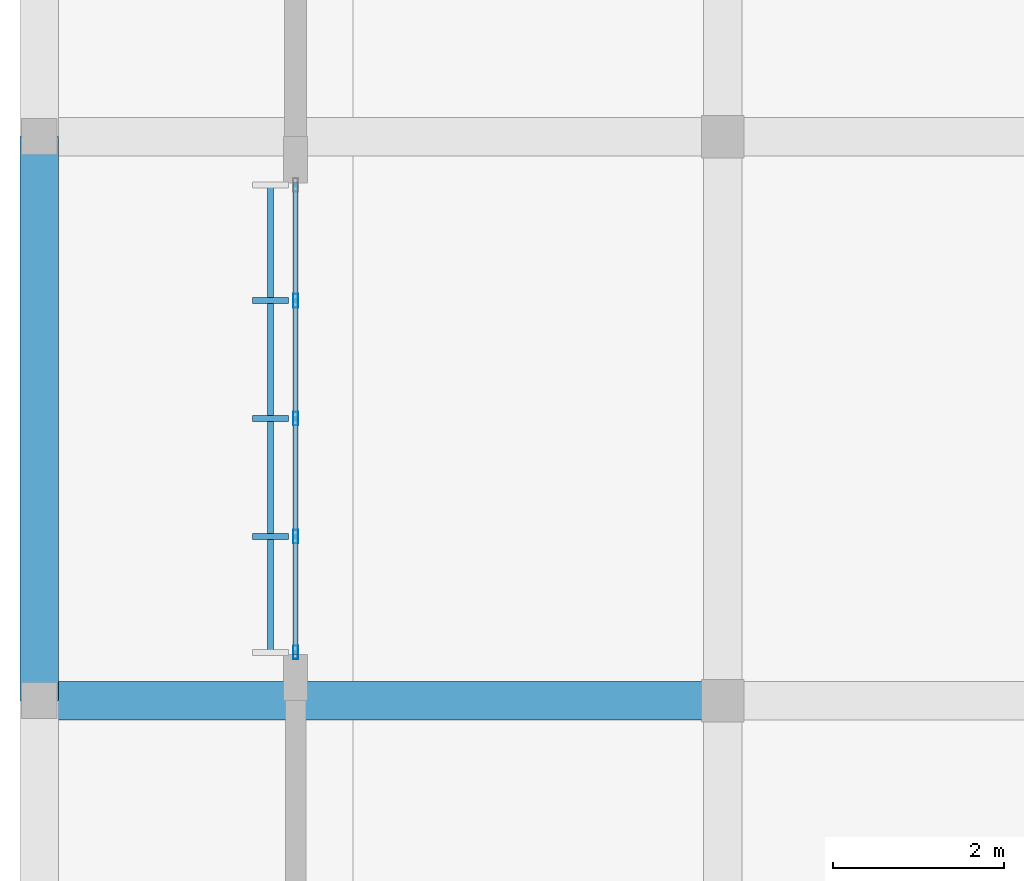
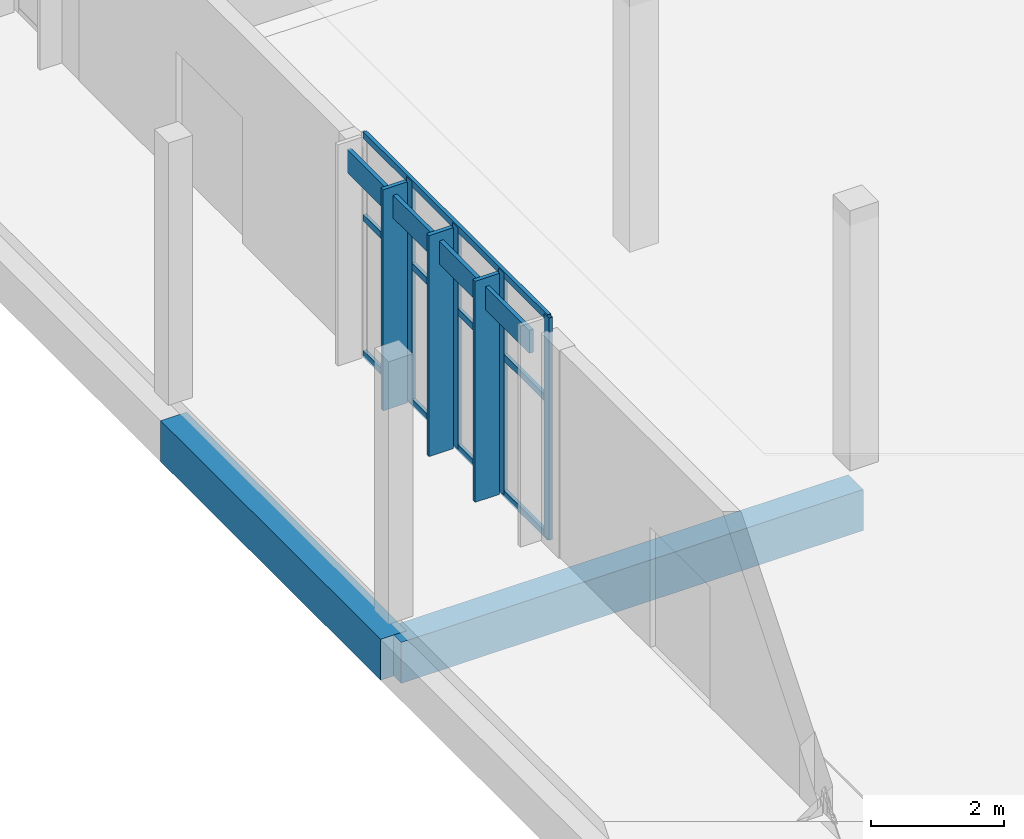
# One storey, part 27 of 151: 11 members, 2 beams, 1 element without a shape of its own.
"""IFC4 building model written with IfcOpenShell, lengths in metres."""

from ifc_helpers import new_model, si_unit, direction, frame, origin, origin_2d, place, context, subcontext, project, spatial, rectangle, hollow_rectangle, extrude, material, material_profile, profile_set, type_object, element, aggregate, save


model = new_model("IFC4")

# Units and contexts
model_context = context("Model", 3, precision=1e-05, world=origin(), true_north=direction((0.0, 1.0)))
body_context = subcontext(model_context, "Body", "Model", "MODEL_VIEW")
ifc_project = project(units=[si_unit("LENGTHUNIT", "METRE"), si_unit("AREAUNIT", "SQUARE_METRE"), si_unit("VOLUMEUNIT", "CUBIC_METRE"), si_unit("PLANEANGLEUNIT", "RADIAN"), si_unit("MASSUNIT", "GRAM", prefix="KILO")], contexts=[model_context])

# Site, building, storey
site_placement = place(None, origin())
site = spatial("IfcSite", under=ifc_project, at=site_placement, CompositionType="ELEMENT")
building_placement = place(site_placement, origin())
building = spatial("IfcBuilding", under=site, at=building_placement, Name="Chiffa Square Polytechnic", CompositionType="ELEMENT")
storey_placement = place(building_placement, origin())
storey = spatial("IfcBuildingStorey", under=building, at=storey_placement, Name="L00", CompositionType="ELEMENT", Elevation=0.0)

# Curtain wall, members
ifc_material_1 = material(Name="Aluminium EN AW-6060 T66 and glulam shading", Category="wood")
curtain_wall_type = type_object("IfcCurtainWallType", Name="CW-VERT-360X380", PredefinedType="USERDEFINED", material=ifc_material_1)
curtain_wall_placement = place(storey_placement, origin())
curtain_wall = element("IfcCurtainWall", 1, at=curtain_wall_placement, inside=storey, type_object=curtain_wall_type, Name="Curtain wall CW-V6-L00-253", ObjectType="CURTAIN WALL", PredefinedType="USERDEFINED")
ifc_material_2 = material(Name="Aluminium EN AW-6060 T66", Category="aluminium")
ifc_material_profile_1 = material_profile(ifc_material_2, hollow_rectangle(XDim=0.06005859375, YDim=0.159912109375, WallThickness=0.00390625, at=origin_2d()), Name="ALU 60x160x4")
ifc_profile_set_1 = profile_set([ifc_material_profile_1], Name="Aluminium EN AW-6060 T66")
member_type_1 = type_object("IfcMemberType", Name="CWM-ALU-65X150", PredefinedType="MULLION", material=ifc_profile_set_1)
member_1_placement = place(storey_placement, frame((3.0, 55.679931640625, 0.0), z_axis=(0.0, 0.0, 1.0), x_axis=(1.0, 0.0, 0.0)))
member_1 = element("IfcMember", 2, at=member_1_placement, type_object=member_type_1, Name="Curtain wall mullion CW-V6-L00-253-M01", PredefinedType="MULLION", context=body_context, shape_type="SweptSolid", body=[
    extrude(hollow_rectangle(XDim=0.06005859375, YDim=0.159912109375, WallThickness=0.00390625, at=origin_2d()), origin(), (0.0, 0.0, 1.0), 4.06494140625),
])
member_2_placement = place(storey_placement, frame((3.0, 54.300048828125, 0.0), z_axis=(0.0, 0.0, 1.0), x_axis=(1.0, 0.0, 0.0)))
member_2 = element("IfcMember", 3, at=member_2_placement, type_object=member_type_1, Name="Curtain wall mullion CW-V6-L00-253-M02", PredefinedType="MULLION", context=body_context, shape_type="SweptSolid", body=[
    extrude(hollow_rectangle(XDim=0.06005859375, YDim=0.159912109375, WallThickness=0.00390625, at=origin_2d()), origin(), (0.0, 0.0, 1.0), 4.06494140625),
])
member_3_placement = place(storey_placement, frame((3.0, 52.919921875, 0.0), z_axis=(0.0, 0.0, 1.0), x_axis=(1.0, 0.0, 0.0)))
member_3 = element("IfcMember", 4, at=member_3_placement, type_object=member_type_1, Name="Curtain wall mullion CW-V6-L00-253-M03", PredefinedType="MULLION", context=body_context, shape_type="SweptSolid", body=[
    extrude(hollow_rectangle(XDim=0.06005859375, YDim=0.159912109375, WallThickness=0.00390625, at=origin_2d()), origin(), (0.0, 0.0, 1.0), 4.06494140625),
])
member_4_placement = place(storey_placement, frame((3.0, 51.56494140625, 0.0), z_axis=(0.0, 0.0, 1.0), x_axis=(1.0, 0.0, 0.0)))
member_4 = element("IfcMember", 5, at=member_4_placement, type_object=member_type_1, Name="Curtain wall mullion CW-V6-L00-253-M04", PredefinedType="MULLION", context=body_context, shape_type="SweptSolid", body=[
    extrude(hollow_rectangle(XDim=0.06005859375, YDim=0.159912109375, WallThickness=0.00390625, at=origin_2d()), origin(), (0.0, 0.0, 1.0), 4.06494140625),
])
ifc_material_3 = material(Name="Glulam GL28h", Category="wood")
ifc_material_profile_2 = material_profile(ifc_material_3, rectangle(XDim=0.070068359375, YDim=0.419921875, at=origin_2d()), Name="GL28h 70x420")
ifc_profile_set_2 = profile_set([ifc_material_profile_2], Name="Glulam GL28h")
member_type_2 = type_object("IfcMemberType", Name="CWM-GL-70X420", PredefinedType="MULLION", material=ifc_profile_set_2)
member_5_placement = place(storey_placement, frame((2.7080078125, 55.679931640625, 0.010009765625), z_axis=(0.0, 0.0, 1.0), x_axis=(0.0, -1.0, 0.0)))
member_5 = element("IfcMember", 6, at=member_5_placement, type_object=member_type_2, Name="Exterior glulam solar fin CW-V6-L00-253-FN01", PredefinedType="MULLION", context=body_context, shape_type="SweptSolid", body=[
    extrude(rectangle(XDim=0.070068359375, YDim=0.419921875, at=origin_2d()), origin(), (0.0, 0.0, 1.0), 4.044921875),
])
member_6_placement = place(storey_placement, frame((2.7080078125, 54.300048828125, 0.010009765625), z_axis=(0.0, 0.0, 1.0), x_axis=(0.0, -1.0, 0.0)))
member_6 = element("IfcMember", 7, at=member_6_placement, type_object=member_type_2, Name="Exterior glulam solar fin CW-V6-L00-253-FN02", PredefinedType="MULLION", context=body_context, shape_type="SweptSolid", body=[
    extrude(rectangle(XDim=0.070068359375, YDim=0.419921875, at=origin_2d()), origin(), (0.0, 0.0, 1.0), 4.044921875),
])
member_7_placement = place(storey_placement, frame((2.7080078125, 52.919921875, 0.010009765625), z_axis=(0.0, 0.0, 1.0), x_axis=(0.0, -1.0, 0.0)))
member_7 = element("IfcMember", 8, at=member_7_placement, type_object=member_type_2, Name="Exterior glulam solar fin CW-V6-L00-253-FN03", PredefinedType="MULLION", context=body_context, shape_type="SweptSolid", body=[
    extrude(rectangle(XDim=0.070068359375, YDim=0.419921875, at=origin_2d()), origin(), (0.0, 0.0, 1.0), 4.044921875),
])
ifc_material_profile_3 = material_profile(ifc_material_2, hollow_rectangle(XDim=0.06005859375, YDim=0.1201171875, WallThickness=0.00390625, at=origin_2d()), Name="ALU 60x120x4")
ifc_profile_set_3 = profile_set([ifc_material_profile_3], Name="Aluminium EN AW-6060 T66")
member_type_3 = type_object("IfcMemberType", Name="CWT-ALU-65X120", PredefinedType="USERDEFINED", material=ifc_profile_set_3)
member_8_placement = place(storey_placement, frame((3.0, 57.06201171875, 0.030029296875), z_axis=(0.0, -1.0, 0.0), x_axis=(1.0, 0.0, 0.0)))
member_8 = element("IfcMember", 9, at=member_8_placement, type_object=member_type_3, Name="Curtain wall transom CW-V6-L00-253-T01", ObjectType="TRANSOM", PredefinedType="USERDEFINED", context=body_context, shape_type="SweptSolid", body=[
    extrude(hollow_rectangle(XDim=0.06005859375, YDim=0.1201171875, WallThickness=0.00390625, at=origin_2d()), origin(), (0.0, 0.0, 1.0), 5.52392578125),
])
member_9_placement = place(storey_placement, frame((3.0, 57.06201171875, 2.52001953125), z_axis=(0.0, -1.0, 0.0), x_axis=(1.0, 0.0, 0.0)))
member_9 = element("IfcMember", 10, at=member_9_placement, type_object=member_type_3, Name="Curtain wall transom CW-V6-L00-253-T02", ObjectType="TRANSOM", PredefinedType="USERDEFINED", context=body_context, shape_type="SweptSolid", body=[
    extrude(hollow_rectangle(XDim=0.06005859375, YDim=0.1201171875, WallThickness=0.00390625, at=origin_2d()), origin(), (0.0, 0.0, 1.0), 5.52392578125),
])
member_10_placement = place(storey_placement, frame((3.0, 57.06201171875, 4.034912109375), z_axis=(0.0, -1.0, 0.0), x_axis=(1.0, 0.0, 0.0)))
member_10 = element("IfcMember", 11, at=member_10_placement, type_object=member_type_3, Name="Curtain wall transom CW-V6-L00-253-T03", ObjectType="TRANSOM", PredefinedType="USERDEFINED", context=body_context, shape_type="SweptSolid", body=[
    extrude(hollow_rectangle(XDim=0.06005859375, YDim=0.1201171875, WallThickness=0.00390625, at=origin_2d()), origin(), (0.0, 0.0, 1.0), 5.52392578125),
])
ifc_material_profile_4 = material_profile(ifc_material_3, rectangle(XDim=0.070068359375, YDim=0.419921875, at=origin_2d()), Name="GL28h 70x420")
ifc_profile_set_4 = profile_set([ifc_material_profile_4], Name="Glulam GL28h")
member_type_4 = type_object("IfcMemberType", Name="CWT-GL-70X420", PredefinedType="USERDEFINED", material=ifc_profile_set_4)
member_11_placement = place(storey_placement, frame((2.7080078125, 57.034912109375, 3.68505859375), z_axis=(0.0, -1.0, 0.0), x_axis=(1.0, 0.0, 0.0)))
member_11 = element("IfcMember", 12, at=member_11_placement, type_object=member_type_4, Name="Exterior glulam brise-soleil CW-V6-L00-253-BS01", ObjectType="TRANSOM", PredefinedType="USERDEFINED", context=body_context, shape_type="SweptSolid", body=[
    extrude(rectangle(XDim=0.070068359375, YDim=0.419921875, at=origin_2d()), origin(), (0.0, 0.0, 1.0), 5.469970703125),
])
aggregate(curtain_wall, [member_1, member_5, member_2, member_6, member_3, member_7, member_4, member_8, member_9, member_10, member_11])

# Beams
ifc_material_4 = material(Name="Concrete C35/45", Category="concrete")
ifc_material_profile_5 = material_profile(ifc_material_4, rectangle(XDim=0.449951171875, YDim=0.75, at=origin_2d()), Name="RC 450x750")
ifc_profile_set_5 = profile_set([ifc_material_profile_5], Name="Concrete C35/45")
beam_type = type_object("IfcBeamType", Name="GB-RC-450X750", PredefinedType="BEAM", material=ifc_profile_set_5)
beam_1_placement = place(storey_placement, frame((0.0, 51.0, -0.77490234375), z_axis=(1.0, 0.0, 0.0), x_axis=(0.0, 1.0, 0.0)))
element("IfcBeam", 13, at=beam_1_placement, inside=storey, type_object=beam_type, Name="Ground tie beam GB-V6-X-157", PredefinedType="BEAM", context=body_context, shape_type="SweptSolid", body=[
    extrude(rectangle(XDim=0.449951171875, YDim=0.75, at=origin_2d()), origin(), (0.0, 0.0, 1.0), 8.0),
])
beam_2_placement = place(storey_placement, frame((0.0, 51.0, -0.77490234375), z_axis=(0.0, 1.0, 0.0), x_axis=(-1.0, 0.0, 0.0)))
element("IfcBeam", 14, at=beam_2_placement, inside=storey, type_object=beam_type, Name="Ground tie beam GB-V6-Y-197", PredefinedType="BEAM", context=body_context, shape_type="SweptSolid", body=[
    extrude(rectangle(XDim=0.449951171875, YDim=0.75, at=origin_2d()), origin(), (0.0, 0.0, 1.0), 6.60009765625),
])

save(model, "model.ifc")
